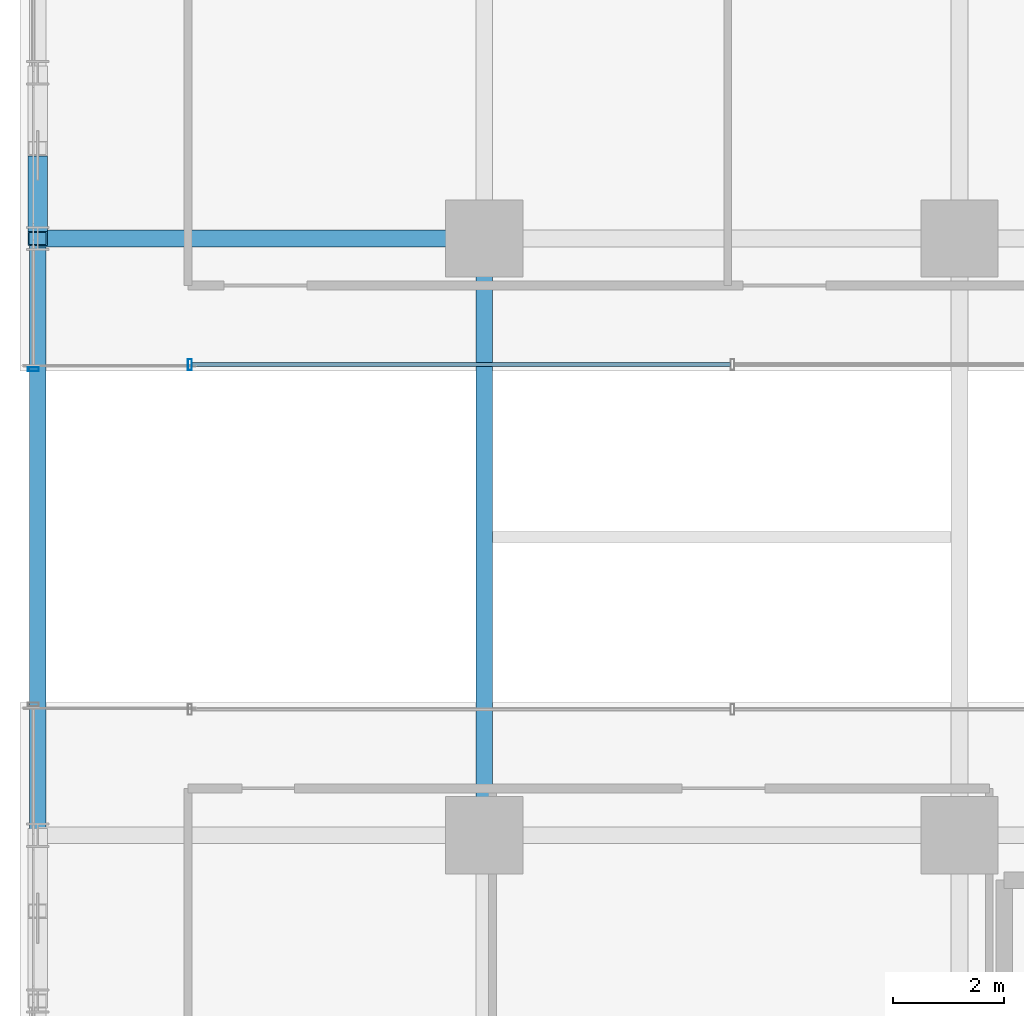
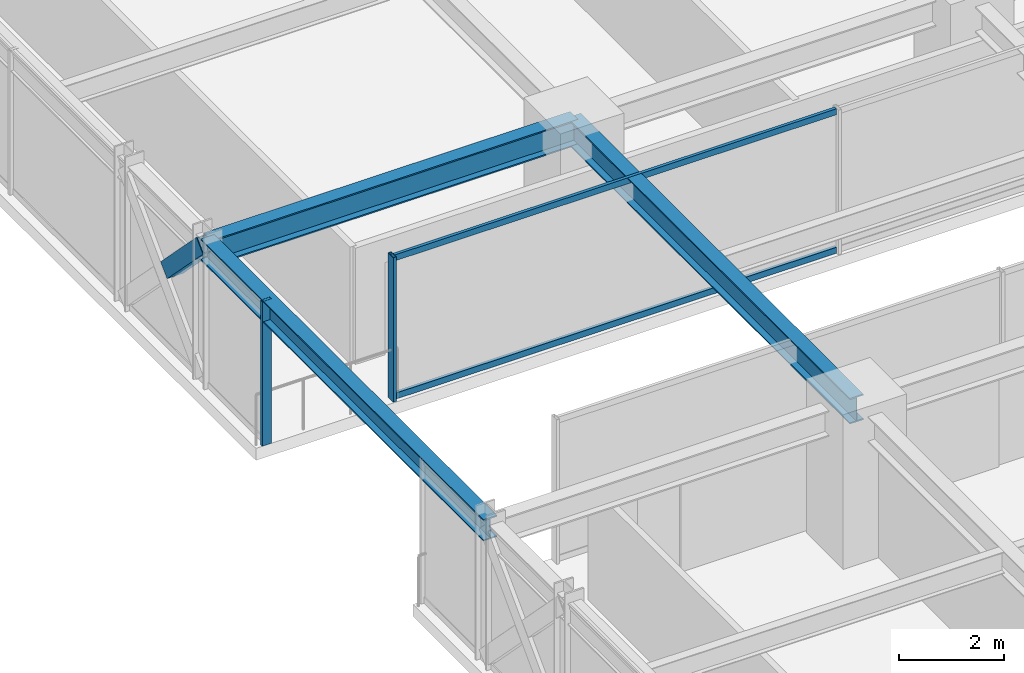
# One storey, part 10 of 47: 5 members, 3 beams, 2 elements without a shape of their own.
"""IFC4 building model written with IfcOpenShell, lengths in metres."""

from ifc_helpers import new_model, si_unit, direction, frame, origin, origin_2d, place, context, subcontext, project, spatial, hollow_rectangle, i_section, extrude, source, transform, mapped, material, material_profile, profile_set, type_object, element, aggregate, save


model = new_model("IFC4")

# Units and contexts
model_context = context("Model", 3, precision=1e-05, world=origin(), true_north=direction((0.0, 1.0)))
body_context = subcontext(model_context, "Body", "Model", "MODEL_VIEW")
ifc_project = project(units=[si_unit("LENGTHUNIT", "METRE"), si_unit("AREAUNIT", "SQUARE_METRE"), si_unit("VOLUMEUNIT", "CUBIC_METRE"), si_unit("PLANEANGLEUNIT", "RADIAN"), si_unit("MASSUNIT", "GRAM", prefix="KILO")], contexts=[model_context])

# Site, building, storey
site_placement = place(None, origin())
site = spatial("IfcSite", under=ifc_project, at=site_placement, CompositionType="ELEMENT")
building_placement = place(site_placement, origin())
building = spatial("IfcBuilding", under=site, at=building_placement, Name="Nahalor Promenade Grand Hotel", CompositionType="ELEMENT")
storey_placement = place(building_placement, frame((0.0, 0.0, 68.89990234375)))
storey = spatial("IfcBuildingStorey", under=building, at=storey_placement, Name="L16", CompositionType="ELEMENT", Elevation=68.89990234375)

# Beams
ifc_material_1 = material(Name="Steel S355JR", Category="steel")
ifc_material_profile_1 = material_profile(ifc_material_1, i_section(OverallWidth=0.3, OverallDepth=0.6, WebThickness=0.0155, FlangeThickness=0.03, at=origin_2d()), Name="HEB 600")
ifc_profile_set_1 = profile_set([ifc_material_profile_1], Name="Steel S355JR")
beam_type_1 = type_object("IfcBeamType", Name="Beam-Girder-HEB600", PredefinedType="BEAM", material=ifc_profile_set_1)
shared_shape_1 = source(origin(), body_context, "Body", "SweptSolid", [
    extrude(i_section(OverallWidth=0.3, OverallDepth=0.6, WebThickness=0.0155, FlangeThickness=0.03, at=origin_2d()), origin(), (0.0, 0.0, 1.0), 10.7998046875),
])
beam_1_placement = place(storey_placement, frame((-17.0, -5.39990234375, 3.070068359375), z_axis=(0.0, 1.0, 0.0), x_axis=(-1.0, 0.0, 0.0)))
element("IfcBeam", 1, at=beam_1_placement, inside=storey, type_object=beam_type_1, Name="BM-L16-GY-0-2", PredefinedType="BEAM", context=body_context, shape_type="MappedRepresentation", body=[
    mapped(shared_shape_1, transform((0.0, 0.0, 0.0), scale=1.0)),
])
ifc_material_profile_2 = material_profile(ifc_material_1, i_section(OverallWidth=0.3, OverallDepth=0.5, WebThickness=0.0145, FlangeThickness=0.028, at=origin_2d()), Name="HEB 500")
ifc_profile_set_2 = profile_set([ifc_material_profile_2], Name="Steel S355JR")
beam_type_2 = type_object("IfcBeamType", Name="Beam-Spandrel-HEB500", PredefinedType="SPANDREL", material=ifc_profile_set_2)
shared_shape_2 = source(origin(), body_context, "Body", "SweptSolid", [
    extrude(i_section(OverallWidth=0.3, OverallDepth=0.5, WebThickness=0.0145, FlangeThickness=0.028, at=origin_2d()), origin(), (0.0, 0.0, 1.0), 10.7998046875),
])
beam_2_placement = place(storey_placement, frame((-25.080078125, -5.39990234375, 3.1201171875), z_axis=(0.0, 1.0, 0.0), x_axis=(-1.0, 0.0, 0.0)))
element("IfcBeam", 2, at=beam_2_placement, inside=storey, type_object=beam_type_2, Name="BM-L16-SP-W-2", PredefinedType="SPANDREL", context=body_context, shape_type="MappedRepresentation", body=[
    mapped(shared_shape_2, transform((0.0, 0.0, 0.0), scale=1.0)),
])
shared_shape_3 = source(origin(), body_context, "Body", "SweptSolid", [
    extrude(i_section(OverallWidth=0.3, OverallDepth=0.6, WebThickness=0.0155, FlangeThickness=0.03, at=origin_2d()), origin(), (0.0, 0.0, 1.0), 8.080078125),
])
beam_3_placement = place(storey_placement, frame((-25.080078125, 5.39990234375, 3.070068359375), z_axis=(1.0, 0.0, 0.0), x_axis=(0.0, 1.0, 0.0)))
element("IfcBeam", 3, at=beam_3_placement, inside=storey, type_object=beam_type_1, Name="BM-L16-GX-2-0", PredefinedType="BEAM", context=body_context, shape_type="MappedRepresentation", body=[
    mapped(shared_shape_3, transform((0.0, 0.0, 0.0), scale=1.0)),
])

# Member
ifc_material_profile_3 = material_profile(ifc_material_1, hollow_rectangle(XDim=0.35, YDim=0.35, WallThickness=0.02, at=origin_2d()), Name="SHS 350x350x20")
ifc_profile_set_3 = profile_set([ifc_material_profile_3], Name="Steel S355JR")
member_type_1 = type_object("IfcMemberType", Name="Mem-VoidBrace-SHS350", PredefinedType="BRACE", material=ifc_profile_set_3)
shared_shape_4 = source(origin(), body_context, "Body", "SweptSolid", [
    extrude(hollow_rectangle(XDim=0.35, YDim=0.35, WallThickness=0.02, at=origin_2d()), origin(), (0.0, 0.0, 1.0), 1.959228515625),
])
member_1_placement = place(storey_placement, frame((-25.080078125, 6.769287109375, 1.81884765625), z_axis=(0.0, -0.698898183234, 0.715221175212), x_axis=(1.0, 0.0, 0.0)))
element("IfcMember", 4, at=member_1_placement, inside=storey, type_object=member_type_1, Name="EXO-L16-VX2-W1B", PredefinedType="BRACE", context=body_context, shape_type="MappedRepresentation", body=[
    mapped(shared_shape_4, transform((0.0, 0.0, 0.0), scale=1.0)),
])

# Curtain wall, members
ifc_material_2 = material(Name="Anodised Bronze Aluminium EN AW-6063 T6", Category="aluminium")
curtain_wall_type = type_object("IfcCurtainWallType", Name="CW3 Elliptical-Void Collar Unitised Curtain Wall", PredefinedType="USERDEFINED", material=ifc_material_2)
curtain_wall_1_placement = place(storey_placement, origin())
curtain_wall_1 = element("IfcCurtainWall", 5, at=curtain_wall_1_placement, inside=storey, type_object=curtain_wall_type, Name="L16 Curtain Wall CW-L16-VOID-WN1", ObjectType="UNITISED_CURTAIN_WALL", PredefinedType="USERDEFINED")
ifc_material_profile_4 = material_profile(ifc_material_2, hollow_rectangle(XDim=0.07, YDim=0.14, WallThickness=0.004, at=origin_2d()), Name="CWT 70x140x4")
ifc_profile_set_4 = profile_set([ifc_material_profile_4], Name="Anodised Bronze Aluminium EN AW-6063 T6")
member_type_2 = type_object("IfcMemberType", Name="CWT3 Void Collar Transom 70x140", PredefinedType="USERDEFINED", material=ifc_profile_set_4)
shared_shape_5 = source(origin(), body_context, "Body", "SweptSolid", [
    extrude(hollow_rectangle(XDim=0.07, YDim=0.14, WallThickness=0.004, at=origin_2d()), origin(), (0.0, 0.0, 1.0), 9.748291015625),
])
member_2_placement = place(storey_placement, frame((-22.2900390625, 3.118896484375, 0.070068359375), z_axis=(1.0, 0.0, 0.0), x_axis=(0.0, 1.0, 0.0)))
member_2 = element("IfcMember", 6, at=member_2_placement, type_object=member_type_2, Name="CW-L16-VOID-WN1 Transom 0-0", ObjectType="TRANSOM", PredefinedType="USERDEFINED", context=body_context, shape_type="MappedRepresentation", body=[
    mapped(shared_shape_5, transform((0.0, 0.0, 0.0), scale=1.0)),
])
member_3_placement = place(storey_placement, frame((-22.2900390625, 3.118896484375, 3.300048828125), z_axis=(1.0, 0.0, 0.0), x_axis=(0.0, 1.0, 0.0)))
member_3 = element("IfcMember", 7, at=member_3_placement, type_object=member_type_2, Name="CW-L16-VOID-WN1 Transom 0-1", ObjectType="TRANSOM", PredefinedType="USERDEFINED", context=body_context, shape_type="MappedRepresentation", body=[
    mapped(shared_shape_5, transform((0.0, 0.0, 0.0), scale=1.0)),
])

# Curtain wall, member
curtain_wall_2_placement = place(storey_placement, origin())
curtain_wall_2 = element("IfcCurtainWall", 8, at=curtain_wall_2_placement, inside=storey, type_object=curtain_wall_type, Name="L16 Curtain Wall CW-L16-W-2", ObjectType="UNITISED_CURTAIN_WALL", PredefinedType="USERDEFINED")
ifc_material_profile_5 = material_profile(ifc_material_2, hollow_rectangle(XDim=0.07, YDim=0.2, WallThickness=0.005, at=origin_2d()), Name="CWM 70x200x5")
ifc_profile_set_5 = profile_set([ifc_material_profile_5], Name="Anodised Bronze Aluminium EN AW-6063 T6")
member_type_3 = type_object("IfcMemberType", Name="CWM3 Void Collar Mullion 70x200", PredefinedType="MULLION", material=ifc_profile_set_5)
shared_shape_6 = source(origin(), body_context, "Body", "SweptSolid", [
    extrude(hollow_rectangle(XDim=0.07, YDim=0.2, WallThickness=0.005, at=origin_2d()), origin(), (0.0, 0.0, 1.0), 3.3701171875),
])
member_4_placement = place(storey_placement, frame((-25.159912109375, 3.033935546875, 0.0), z_axis=(0.0, 0.0, 1.0), x_axis=(0.0, 1.0, 0.0)))
member_4 = element("IfcMember", 9, at=member_4_placement, type_object=member_type_3, Name="CW-L16-W-2 Mullion 0", PredefinedType="MULLION", context=body_context, shape_type="MappedRepresentation", body=[
    mapped(shared_shape_6, transform((0.0, 0.0, 0.0), scale=1.0)),
])
aggregate(curtain_wall_2, [member_4])

# Member
member_5_placement = place(storey_placement, frame((-22.324951171875, 3.118896484375, 0.0), z_axis=(0.0, 0.0, 1.0), x_axis=(1.0, 0.0, 0.0)))
member_5 = element("IfcMember", 10, at=member_5_placement, type_object=member_type_3, Name="CW-L16-VOID-WN1 Mullion 0", PredefinedType="MULLION", context=body_context, shape_type="MappedRepresentation", body=[
    mapped(shared_shape_6, transform((0.0, 0.0, 0.0), scale=1.0)),
])

aggregate(curtain_wall_1, [member_5, member_2, member_3])

save(model, "model.ifc")
